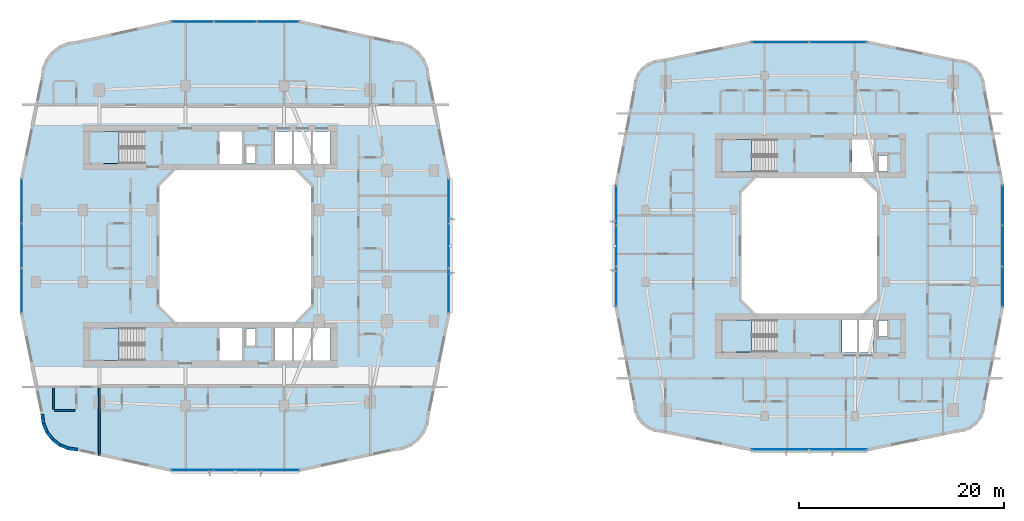
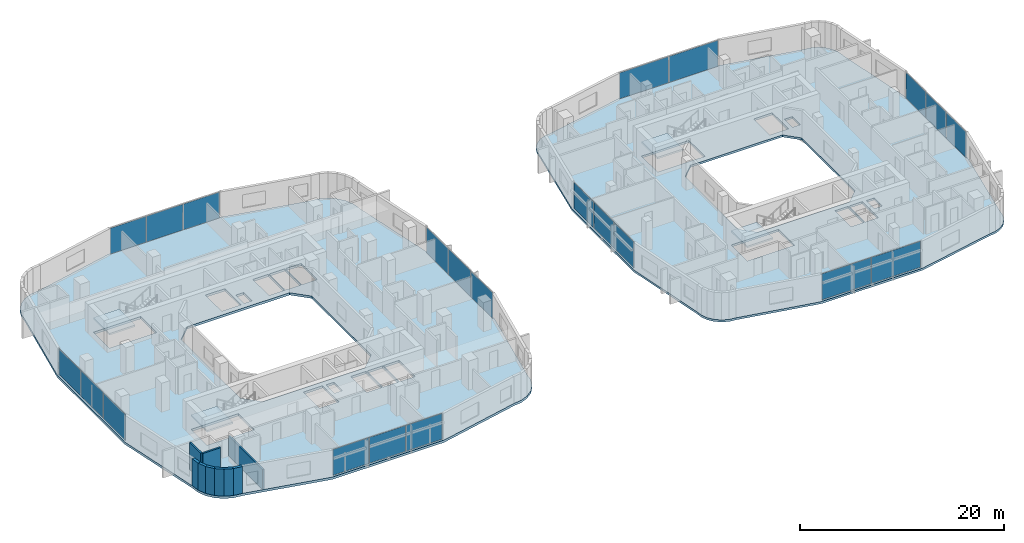
# One storey, part 12 of 27: 22 plates, 9 walls, 6 slabs, 12 elements without a shape of their own.
"""IFC4 building model written with IfcOpenShell, lengths in metres."""

from ifc_helpers import new_model, si_unit, derived_unit, direction, frame, frame_2d, origin, origin_2d, place, context, subcontext, project, spatial, polyline, rectangle, outline, extrude, material, layer, layer_set, type_object, element, aggregate, save


model = new_model("IFC4")

# Units and contexts
model_context = context("Model", 3, precision=1e-05, world=origin(), true_north=direction((0.0, 1.0)))
body_context = subcontext(model_context, "Body", "Model", "MODEL_VIEW")
ifc_project = project(units=[si_unit("LENGTHUNIT", "METRE"), si_unit("AREAUNIT", "SQUARE_METRE"), si_unit("VOLUMEUNIT", "CUBIC_METRE"), si_unit("PLANEANGLEUNIT", "RADIAN"), si_unit("MASSUNIT", "GRAM", prefix="KILO"), derived_unit("THERMALTRANSMITTANCEUNIT", [(si_unit("POWERUNIT", "WATT"), 1), (si_unit("LENGTHUNIT", "METRE"), -2), (si_unit("THERMODYNAMICTEMPERATUREUNIT", "KELVIN"), -1)])], contexts=[model_context])

# Site, building, storey
site_placement = place(None, origin())
site = spatial("IfcSite", under=ifc_project, at=site_placement, CompositionType="ELEMENT")
building_placement = place(site_placement, origin())
building = spatial("IfcBuilding", under=site, at=building_placement, Name="Kivonza Crest Hotel", CompositionType="ELEMENT")
storey_placement = place(building_placement, frame((0.0, 0.0, 31.0)))
storey = spatial("IfcBuildingStorey", under=building, at=storey_placement, Name="L07", CompositionType="ELEMENT", Elevation=31.0)

# Curtain wall, plates
ifc_material_1 = material(Name="Anodised bronze aluminium and low-E double glazing", Category="aluminium")
ifc_layer_1 = layer(ifc_material_1, 0.179931640625)
ifc_layer_set_1 = layer_set([ifc_layer_1], Name="Anodised bronze aluminium and low-E double glazing")
curtain_wall_type_1 = type_object("IfcCurtainWallType", Name="CW-SYS-2", PredefinedType="NOTDEFINED", material=ifc_layer_set_1)
curtain_wall_1_placement = place(storey_placement, origin())
curtain_wall_1 = element("IfcCurtainWall", 1, at=curtain_wall_1_placement, inside=storey, type_object=curtain_wall_type_1, Name="L07 unitised curtain wall CW-T1-L07-08", PredefinedType="NOTDEFINED")
ifc_material_2 = material(Name="Solar-control low-E double glazing", Category="glass")
ifc_layer_2 = layer(ifc_material_2, 0.028076171875)
ifc_layer_set_2 = layer_set([ifc_layer_2], Name="Solar-control low-E double glazing")
plate_type = type_object("IfcPlateType", Name="CW-PNL-28", PredefinedType="CURTAIN_PANEL", material=ifc_layer_set_2)
plate_1_placement = place(storey_placement, frame((16.890869140625, 3.159912109375, 0.06494140625), z_axis=(0.0, 0.0, 1.0), x_axis=(1.0, 0.0, 0.0)))
plate_1 = element("IfcPlate", 2, at=plate_1_placement, type_object=plate_type, Name="CW-2 panel 1.1", PredefinedType="CURTAIN_PANEL", context=body_context, shape_type="SweptSolid", body=[
    extrude(rectangle(XDim=4.06787109375, YDim=0.028076171875, at=origin_2d()), origin(), (0.0, 0.0, 1.0), 3.090087890625),
])
plate_2_placement = place(storey_placement, frame((21.0400390625, 3.159912109375, 0.06494140625), z_axis=(0.0, 0.0, 1.0), x_axis=(1.0, 0.0, 0.0)))
plate_2 = element("IfcPlate", 3, at=plate_2_placement, type_object=plate_type, Name="CW-2 panel 2.1", PredefinedType="CURTAIN_PANEL", context=body_context, shape_type="SweptSolid", body=[
    extrude(rectangle(XDim=4.100341796875, YDim=0.028076171875, at=origin_2d()), origin(), (0.0, 0.0, 1.0), 3.090087890625),
])
plate_3_placement = place(storey_placement, frame((25.18896484375, 3.159912109375, 0.06494140625), z_axis=(0.0, 0.0, 1.0), x_axis=(1.0, 0.0, 0.0)))
plate_3 = element("IfcPlate", 4, at=plate_3_placement, type_object=plate_type, Name="CW-2 panel 3.1", PredefinedType="CURTAIN_PANEL", context=body_context, shape_type="SweptSolid", body=[
    extrude(rectangle(XDim=4.06787109375, YDim=0.028076171875, at=origin_2d()), origin(), (0.0, 0.0, 1.0), 3.090087890625),
])
aggregate(curtain_wall_1, [plate_1, plate_2, plate_3])

curtain_wall_2_placement = place(storey_placement, origin())
curtain_wall_2 = element("IfcCurtainWall", 5, at=curtain_wall_2_placement, inside=storey, type_object=curtain_wall_type_1, Name="L07 unitised curtain wall CW-T1-L07-17", PredefinedType="NOTDEFINED")
plate_4_placement = place(storey_placement, frame((41.840087890625, 20.642822265625, 0.06494140625), z_axis=(0.0, 0.0, 1.0), x_axis=(0.0, 1.0, 0.0)))
plate_4 = element("IfcPlate", 6, at=plate_4_placement, type_object=plate_type, Name="CW-2 panel 1.1", PredefinedType="CURTAIN_PANEL", context=body_context, shape_type="SweptSolid", body=[
    extrude(rectangle(XDim=4.27587890625, YDim=0.028076171875, at=origin_2d()), origin(), (0.0, 0.0, 1.0), 3.090087890625),
])
plate_5_placement = place(storey_placement, frame((41.840087890625, 25.0, 0.06494140625), z_axis=(0.0, 0.0, 1.0), x_axis=(0.0, 1.0, 0.0)))
plate_5 = element("IfcPlate", 7, at=plate_5_placement, type_object=plate_type, Name="CW-2 panel 2.1", PredefinedType="CURTAIN_PANEL", context=body_context, shape_type="SweptSolid", body=[
    extrude(rectangle(XDim=4.308349609375, YDim=0.028076171875, at=origin_2d()), origin(), (0.0, 0.0, 1.0), 3.090087890625),
])
plate_6_placement = place(storey_placement, frame((41.840087890625, 29.357177734375, 0.06494140625), z_axis=(0.0, 0.0, 1.0), x_axis=(0.0, 1.0, 0.0)))
plate_6 = element("IfcPlate", 8, at=plate_6_placement, type_object=plate_type, Name="CW-2 panel 3.1", PredefinedType="CURTAIN_PANEL", context=body_context, shape_type="SweptSolid", body=[
    extrude(rectangle(XDim=4.27587890625, YDim=0.028076171875, at=origin_2d()), origin(), (0.0, 0.0, 1.0), 3.090087890625),
])
aggregate(curtain_wall_2, [plate_4, plate_5, plate_6])

curtain_wall_3_placement = place(storey_placement, origin())
curtain_wall_3 = element("IfcCurtainWall", 9, at=curtain_wall_3_placement, inside=storey, type_object=curtain_wall_type_1, Name="L07 unitised curtain wall CW-T1-L07-26", PredefinedType="NOTDEFINED")
plate_7_placement = place(storey_placement, frame((25.18896484375, 46.840087890625, 0.06494140625), z_axis=(0.0, 0.0, 1.0), x_axis=(-1.0, 0.0, 0.0)))
plate_7 = element("IfcPlate", 10, at=plate_7_placement, type_object=plate_type, Name="CW-2 panel 1.1", PredefinedType="CURTAIN_PANEL", context=body_context, shape_type="SweptSolid", body=[
    extrude(rectangle(XDim=4.06787109375, YDim=0.028076171875, at=origin_2d()), origin(), (0.0, 0.0, 1.0), 3.090087890625),
])
plate_8_placement = place(storey_placement, frame((21.0400390625, 46.840087890625, 0.06494140625), z_axis=(0.0, 0.0, 1.0), x_axis=(-1.0, 0.0, 0.0)))
plate_8 = element("IfcPlate", 11, at=plate_8_placement, type_object=plate_type, Name="CW-2 panel 2.1", PredefinedType="CURTAIN_PANEL", context=body_context, shape_type="SweptSolid", body=[
    extrude(rectangle(XDim=4.100341796875, YDim=0.028076171875, at=origin_2d()), origin(), (0.0, 0.0, 1.0), 3.090087890625),
])
plate_9_placement = place(storey_placement, frame((16.890869140625, 46.840087890625, 0.06494140625), z_axis=(0.0, 0.0, 1.0), x_axis=(-1.0, 0.0, 0.0)))
plate_9 = element("IfcPlate", 12, at=plate_9_placement, type_object=plate_type, Name="CW-2 panel 3.1", PredefinedType="CURTAIN_PANEL", context=body_context, shape_type="SweptSolid", body=[
    extrude(rectangle(XDim=4.06787109375, YDim=0.028076171875, at=origin_2d()), origin(), (0.0, 0.0, 1.0), 3.090087890625),
])
aggregate(curtain_wall_3, [plate_7, plate_8, plate_9])

curtain_wall_4_placement = place(storey_placement, origin())
curtain_wall_4 = element("IfcCurtainWall", 13, at=curtain_wall_4_placement, inside=storey, type_object=curtain_wall_type_1, Name="L07 unitised curtain wall CW-T1-L07-35", PredefinedType="NOTDEFINED")
plate_10_placement = place(storey_placement, frame((0.239990234375, 29.357177734375, 0.06494140625), z_axis=(0.0, 0.0, 1.0), x_axis=(0.0, -1.0, 0.0)))
plate_10 = element("IfcPlate", 14, at=plate_10_placement, type_object=plate_type, Name="CW-2 panel 1.1", PredefinedType="CURTAIN_PANEL", context=body_context, shape_type="SweptSolid", body=[
    extrude(rectangle(XDim=4.27587890625, YDim=0.028076171875, at=origin_2d()), origin(), (0.0, 0.0, 1.0), 3.090087890625),
])
plate_11_placement = place(storey_placement, frame((0.239990234375, 25.0, 0.06494140625), z_axis=(0.0, 0.0, 1.0), x_axis=(0.0, -1.0, 0.0)))
plate_11 = element("IfcPlate", 15, at=plate_11_placement, type_object=plate_type, Name="CW-2 panel 2.1", PredefinedType="CURTAIN_PANEL", context=body_context, shape_type="SweptSolid", body=[
    extrude(rectangle(XDim=4.308349609375, YDim=0.028076171875, at=origin_2d()), origin(), (0.0, 0.0, 1.0), 3.090087890625),
])
plate_12_placement = place(storey_placement, frame((0.239990234375, 20.642822265625, 0.06494140625), z_axis=(0.0, 0.0, 1.0), x_axis=(0.0, -1.0, 0.0)))
plate_12 = element("IfcPlate", 16, at=plate_12_placement, type_object=plate_type, Name="CW-2 panel 3.1", PredefinedType="CURTAIN_PANEL", context=body_context, shape_type="SweptSolid", body=[
    extrude(rectangle(XDim=4.27587890625, YDim=0.028076171875, at=origin_2d()), origin(), (0.0, 0.0, 1.0), 3.090087890625),
])
aggregate(curtain_wall_4, [plate_10, plate_11, plate_12])

ifc_layer_3 = layer(ifc_material_1, 0.179931640625)
ifc_layer_set_3 = layer_set([ifc_layer_3], Name="Anodised bronze aluminium and low-E double glazing")
curtain_wall_type_2 = type_object("IfcCurtainWallType", Name="CW-SYS-4", PredefinedType="NOTDEFINED", material=ifc_layer_set_3)
curtain_wall_5_placement = place(storey_placement, origin())
curtain_wall_5 = element("IfcCurtainWall", 17, at=curtain_wall_5_placement, inside=storey, type_object=curtain_wall_type_2, Name="L07 unitised curtain wall CW-T2-L07-08", PredefinedType="NOTDEFINED")
plate_13_placement = place(storey_placement, frame((74.15234375, 5.159912109375, 0.06494140625), z_axis=(0.0, 0.0, 1.0), x_axis=(1.0, 0.0, 0.0)))
plate_13 = element("IfcPlate", 18, at=plate_13_placement, type_object=plate_type, Name="CW-4 panel 1.1", PredefinedType="CURTAIN_PANEL", context=body_context, shape_type="SweptSolid", body=[
    extrude(rectangle(XDim=5.550537109375, YDim=0.028076171875, at=origin_2d()), origin(), (0.0, 0.0, 1.0), 3.1201171875),
])
plate_14_placement = place(storey_placement, frame((79.767822265625, 5.159912109375, 0.06494140625), z_axis=(0.0, 0.0, 1.0), x_axis=(1.0, 0.0, 0.0)))
plate_14 = element("IfcPlate", 19, at=plate_14_placement, type_object=plate_type, Name="CW-4 panel 2.1", PredefinedType="CURTAIN_PANEL", context=body_context, shape_type="SweptSolid", body=[
    extrude(rectangle(XDim=5.550537109375, YDim=0.028076171875, at=origin_2d()), origin(), (0.0, 0.0, 1.0), 3.1201171875),
])
aggregate(curtain_wall_5, [plate_13, plate_14])

curtain_wall_6_placement = place(storey_placement, origin())
curtain_wall_6 = element("IfcCurtainWall", 20, at=curtain_wall_6_placement, inside=storey, type_object=curtain_wall_type_2, Name="L07 unitised curtain wall CW-T2-L07-17", PredefinedType="NOTDEFINED")
plate_15_placement = place(storey_placement, frame((95.760009765625, 21.04296875, 0.06494140625), z_axis=(0.0, 0.0, 1.0), x_axis=(0.0, 1.0, 0.0)))
plate_15 = element("IfcPlate", 21, at=plate_15_placement, type_object=plate_type, Name="CW-4 panel 1.1", PredefinedType="CURTAIN_PANEL", context=body_context, shape_type="SweptSolid", body=[
    extrude(rectangle(XDim=3.875732421875, YDim=0.028076171875, at=origin_2d()), origin(), (0.0, 0.0, 1.0), 3.1201171875),
])
plate_16_placement = place(storey_placement, frame((95.760009765625, 25.0, 0.06494140625), z_axis=(0.0, 0.0, 1.0), x_axis=(0.0, 1.0, 0.0)))
plate_16 = element("IfcPlate", 22, at=plate_16_placement, type_object=plate_type, Name="CW-4 panel 2.1", PredefinedType="CURTAIN_PANEL", context=body_context, shape_type="SweptSolid", body=[
    extrude(rectangle(XDim=3.908447265625, YDim=0.028076171875, at=origin_2d()), origin(), (0.0, 0.0, 1.0), 3.1201171875),
])
plate_17_placement = place(storey_placement, frame((95.760009765625, 28.95703125, 0.06494140625), z_axis=(0.0, 0.0, 1.0), x_axis=(0.0, 1.0, 0.0)))
plate_17 = element("IfcPlate", 23, at=plate_17_placement, type_object=plate_type, Name="CW-4 panel 3.1", PredefinedType="CURTAIN_PANEL", context=body_context, shape_type="SweptSolid", body=[
    extrude(rectangle(XDim=3.875732421875, YDim=0.028076171875, at=origin_2d()), origin(), (0.0, 0.0, 1.0), 3.1201171875),
])
aggregate(curtain_wall_6, [plate_15, plate_16, plate_17])

curtain_wall_7_placement = place(storey_placement, origin())
curtain_wall_7 = element("IfcCurtainWall", 24, at=curtain_wall_7_placement, inside=storey, type_object=curtain_wall_type_2, Name="L07 unitised curtain wall CW-T2-L07-26", PredefinedType="NOTDEFINED")
plate_18_placement = place(storey_placement, frame((79.767822265625, 44.840087890625, 0.06494140625), z_axis=(0.0, 0.0, 1.0), x_axis=(-1.0, 0.0, 0.0)))
plate_18 = element("IfcPlate", 25, at=plate_18_placement, type_object=plate_type, Name="CW-4 panel 1.1", PredefinedType="CURTAIN_PANEL", context=body_context, shape_type="SweptSolid", body=[
    extrude(rectangle(XDim=5.550537109375, YDim=0.028076171875, at=origin_2d()), origin(), (0.0, 0.0, 1.0), 3.1201171875),
])
plate_19_placement = place(storey_placement, frame((74.15234375, 44.840087890625, 0.06494140625), z_axis=(0.0, 0.0, 1.0), x_axis=(-1.0, 0.0, 0.0)))
plate_19 = element("IfcPlate", 26, at=plate_19_placement, type_object=plate_type, Name="CW-4 panel 2.1", PredefinedType="CURTAIN_PANEL", context=body_context, shape_type="SweptSolid", body=[
    extrude(rectangle(XDim=5.550537109375, YDim=0.028076171875, at=origin_2d()), origin(), (0.0, 0.0, 1.0), 3.1201171875),
])
aggregate(curtain_wall_7, [plate_18, plate_19])

curtain_wall_8_placement = place(storey_placement, origin())
curtain_wall_8 = element("IfcCurtainWall", 27, at=curtain_wall_8_placement, inside=storey, type_object=curtain_wall_type_2, Name="L07 unitised curtain wall CW-T2-L07-35", PredefinedType="NOTDEFINED")
plate_20_placement = place(storey_placement, frame((58.159912109375, 28.95703125, 0.06494140625), z_axis=(0.0, 0.0, 1.0), x_axis=(0.0, -1.0, 0.0)))
plate_20 = element("IfcPlate", 28, at=plate_20_placement, type_object=plate_type, Name="CW-4 panel 1.1", PredefinedType="CURTAIN_PANEL", context=body_context, shape_type="SweptSolid", body=[
    extrude(rectangle(XDim=3.875732421875, YDim=0.028076171875, at=origin_2d()), origin(), (0.0, 0.0, 1.0), 3.1201171875),
])
plate_21_placement = place(storey_placement, frame((58.159912109375, 25.0, 0.06494140625), z_axis=(0.0, 0.0, 1.0), x_axis=(0.0, -1.0, 0.0)))
plate_21 = element("IfcPlate", 29, at=plate_21_placement, type_object=plate_type, Name="CW-4 panel 2.1", PredefinedType="CURTAIN_PANEL", context=body_context, shape_type="SweptSolid", body=[
    extrude(rectangle(XDim=3.908447265625, YDim=0.028076171875, at=origin_2d()), origin(), (0.0, 0.0, 1.0), 3.1201171875),
])
plate_22_placement = place(storey_placement, frame((58.159912109375, 21.04296875, 0.06494140625), z_axis=(0.0, 0.0, 1.0), x_axis=(0.0, -1.0, 0.0)))
plate_22 = element("IfcPlate", 30, at=plate_22_placement, type_object=plate_type, Name="CW-4 panel 3.1", PredefinedType="CURTAIN_PANEL", context=body_context, shape_type="SweptSolid", body=[
    extrude(rectangle(XDim=3.875732421875, YDim=0.028076171875, at=origin_2d()), origin(), (0.0, 0.0, 1.0), 3.1201171875),
])
aggregate(curtain_wall_8, [plate_20, plate_21, plate_22])

# Slab
ifc_material_3 = material(Name="Concrete C40/50", Category="concrete")
ifc_layer_4 = layer(ifc_material_3, 0.280029296875)
ifc_layer_set_4 = layer_set([ifc_layer_4], Name="Concrete C40/50")
slab_type_1 = type_object("IfcSlabType", Name="SL-HTL-280", PredefinedType="FLOOR", material=ifc_layer_set_4)
slab_1_placement = place(storey_placement, frame((0.0, 0.0, -0.280029296875)))
element("IfcSlab", 31, at=slab_1_placement, inside=storey, type_object=slab_type_1, Name="Tower T1 L07 floor slab", PredefinedType="FLOOR", context=body_context, shape_type="SweptSolid", body=[
    extrude(outline(polyline([(2.080078125, 8.60009765625), (2.202880859375, 7.66796875), (2.56201171875, 6.800048828125), (3.134033203125, 6.053955078125), (3.8798828125, 5.48193359375), (4.748046875, 5.123046875), (5.679931640625, 5.0), (14.751953125, 3.0), (27.327880859375, 3.0), (36.39990234375, 5.0), (37.33203125, 5.123046875), (38.199951171875, 5.48193359375), (38.946044921875, 6.053955078125), (39.51806640625, 6.800048828125), (39.876953125, 7.66796875), (40.0, 8.60009765625), (42.0, 18.39990234375), (42.0, 31.60009765625), (40.0, 41.39990234375), (39.876953125, 42.33203125), (39.51806640625, 43.199951171875), (38.946044921875, 43.946044921875), (38.199951171875, 44.51806640625), (37.33203125, 44.876953125), (36.39990234375, 45.0), (27.327880859375, 47.0), (14.751953125, 47.0), (5.679931640625, 45.0), (4.748046875, 44.876953125), (3.8798828125, 44.51806640625), (3.134033203125, 43.946044921875), (2.56201171875, 43.199951171875), (2.202880859375, 42.33203125), (2.080078125, 41.39990234375), (0.080078125, 31.60009765625), (0.080078125, 18.39990234375), (2.080078125, 8.60009765625)]), holes=[polyline([(15.239990234375, 17.60009765625), (26.840087890625, 17.60009765625), (28.43994140625, 19.199951171875), (28.43994140625, 30.800048828125), (26.840087890625, 32.39990234375), (15.239990234375, 32.39990234375), (13.639892578125, 30.800048828125), (13.639892578125, 19.199951171875), (15.239990234375, 17.60009765625)]), polyline([(6.800048828125, 33.02001953125), (12.159912109375, 33.02001953125), (12.159912109375, 36.159912109375), (6.800048828125, 36.159912109375), (6.800048828125, 33.02001953125)]), polyline([(6.800048828125, 13.860107421875), (12.159912109375, 13.860107421875), (12.159912109375, 17.0), (6.800048828125, 17.0), (6.800048828125, 13.860107421875)]), polyline([(22.080078125, 33.0400390625), (22.969970703125, 33.0400390625), (22.969970703125, 34.679931640625), (22.080078125, 34.679931640625), (22.080078125, 33.0400390625)]), polyline([(22.080078125, 15.320068359375), (22.969970703125, 15.320068359375), (22.969970703125, 16.9599609375), (22.080078125, 16.9599609375), (22.080078125, 15.320068359375)]), polyline([(19.5, 33.0), (21.699951171875, 33.0), (21.699951171875, 36.159912109375), (19.5, 36.159912109375), (19.5, 33.0)]), polyline([(24.860107421875, 33.0), (26.60693359375, 33.0), (26.60693359375, 36.159912109375), (24.860107421875, 36.159912109375), (24.860107421875, 33.0)]), polyline([(26.72705078125, 33.0), (28.472900390625, 33.0), (28.472900390625, 36.159912109375), (26.72705078125, 36.159912109375), (26.72705078125, 33.0)]), polyline([(28.593017578125, 33.0), (30.340087890625, 33.0), (30.340087890625, 36.159912109375), (28.593017578125, 36.159912109375), (28.593017578125, 33.0)]), polyline([(19.5, 13.840087890625), (21.699951171875, 13.840087890625), (21.699951171875, 17.0), (19.5, 17.0), (19.5, 13.840087890625)]), polyline([(24.860107421875, 13.840087890625), (26.60693359375, 13.840087890625), (26.60693359375, 17.0), (24.860107421875, 17.0), (24.860107421875, 13.840087890625)]), polyline([(26.72705078125, 13.840087890625), (28.472900390625, 13.840087890625), (28.472900390625, 17.0), (26.72705078125, 17.0), (26.72705078125, 13.840087890625)]), polyline([(28.593017578125, 13.840087890625), (30.340087890625, 13.840087890625), (30.340087890625, 17.0), (28.593017578125, 17.0), (28.593017578125, 13.840087890625)])]), origin(), (0.0, 0.0, 1.0), 0.280029296875),
])

# Stair, slab
stair_type = type_object("IfcStairType", Name="ST-DL-20R", PredefinedType="HALF_TURN_STAIR", material=ifc_material_3)
stair_1_placement = place(storey_placement, origin())
stair_1 = element("IfcStair", 32, at=stair_1_placement, inside=storey, type_object=stair_type, Name="L07 Protected Exit Stair ST-T1-N", PredefinedType="HALF_TURN_STAIR")
ifc_layer_5 = layer(ifc_material_3, 0.199951171875)
ifc_layer_set_5 = layer_set([ifc_layer_5], Name="Concrete C40/50")
slab_type_2 = type_object("IfcSlabType", Name="SL-LAND-200", PredefinedType="LANDING", material=ifc_layer_set_5)
slab_2_placement = place(storey_placement, frame((0.0, 0.0, 1.550048828125)))
slab_2 = element("IfcSlab", 33, at=slab_2_placement, type_object=slab_type_2, Name="ST-T1-N landing 1", PredefinedType="LANDING", context=body_context, shape_type="SweptSolid", body=[
    extrude(outline(polyline([(9.719970703125, 36.159912109375), (6.800048828125, 36.159912109375), (6.800048828125, 33.02001953125), (9.719970703125, 33.02001953125), (9.719970703125, 36.159912109375)])), origin(), (0.0, 0.0, 1.0), 0.199951171875),
])
aggregate(stair_1, [slab_2])

stair_2_placement = place(storey_placement, origin())
stair_2 = element("IfcStair", 34, at=stair_2_placement, inside=storey, type_object=stair_type, Name="L07 Protected Exit Stair ST-T1-S", PredefinedType="HALF_TURN_STAIR")
slab_3_placement = place(storey_placement, frame((0.0, 0.0, 1.550048828125)))
slab_3 = element("IfcSlab", 35, at=slab_3_placement, type_object=slab_type_2, Name="ST-T1-S landing 1", PredefinedType="LANDING", context=body_context, shape_type="SweptSolid", body=[
    extrude(outline(polyline([(9.719970703125, 17.0), (6.800048828125, 17.0), (6.800048828125, 13.860107421875), (9.719970703125, 13.860107421875), (9.719970703125, 17.0)])), origin(), (0.0, 0.0, 1.0), 0.199951171875),
])
aggregate(stair_2, [slab_3])

stair_3_placement = place(storey_placement, origin())
stair_3 = element("IfcStair", 36, at=stair_3_placement, inside=storey, type_object=stair_type, Name="L07 Protected Exit Stair ST-T2-N", PredefinedType="HALF_TURN_STAIR")
slab_4_placement = place(storey_placement, frame((0.0, 0.0, 1.550048828125)))
slab_4 = element("IfcSlab", 37, at=slab_4_placement, type_object=slab_type_2, Name="ST-T2-N landing 1", PredefinedType="LANDING", context=body_context, shape_type="SweptSolid", body=[
    extrude(outline(polyline([(71.320068359375, 35.360107421875), (68.39990234375, 35.360107421875), (68.39990234375, 32.219970703125), (71.320068359375, 32.219970703125), (71.320068359375, 35.360107421875)])), origin(), (0.0, 0.0, 1.0), 0.199951171875),
])
aggregate(stair_3, [slab_4])

stair_4_placement = place(storey_placement, origin())
stair_4 = element("IfcStair", 38, at=stair_4_placement, inside=storey, type_object=stair_type, Name="L07 Protected Exit Stair ST-T2-S", PredefinedType="HALF_TURN_STAIR")
slab_5_placement = place(storey_placement, frame((0.0, 0.0, 1.550048828125)))
slab_5 = element("IfcSlab", 39, at=slab_5_placement, type_object=slab_type_2, Name="ST-T2-S landing 1", PredefinedType="LANDING", context=body_context, shape_type="SweptSolid", body=[
    extrude(outline(polyline([(71.320068359375, 17.800048828125), (68.39990234375, 17.800048828125), (68.39990234375, 14.659912109375), (71.320068359375, 14.659912109375), (71.320068359375, 17.800048828125)])), origin(), (0.0, 0.0, 1.0), 0.199951171875),
])
aggregate(stair_4, [slab_5])

# Slab
ifc_layer_6 = layer(ifc_material_3, 0.25)
ifc_layer_set_6 = layer_set([ifc_layer_6], Name="Concrete C40/50")
slab_type_3 = type_object("IfcSlabType", Name="SL-RES-250", PredefinedType="FLOOR", material=ifc_layer_set_6)
slab_6_placement = place(storey_placement, frame((0.0, 0.0, -0.25)))
element("IfcSlab", 40, at=slab_6_placement, inside=storey, type_object=slab_type_3, Name="Companion Tower T2 L07 floor slab", PredefinedType="FLOOR", context=body_context, shape_type="SweptSolid", body=[
    extrude(outline(polyline([(59.800048828125, 9.60009765625), (59.89501953125, 8.875), (60.175048828125, 8.199951171875), (60.6201171875, 7.6201171875), (61.199951171875, 7.175048828125), (61.875, 6.89501953125), (62.60009765625, 6.800048828125), (71.27197265625, 5.0), (82.64794921875, 5.0), (91.320068359375, 6.800048828125), (92.044921875, 6.89501953125), (92.719970703125, 7.175048828125), (93.300048828125, 7.6201171875), (93.7451171875, 8.199951171875), (94.02490234375, 8.875), (94.1201171875, 9.60009765625), (95.919921875, 19.0), (95.919921875, 31.0), (94.1201171875, 40.39990234375), (94.02490234375, 41.125), (93.7451171875, 41.800048828125), (93.300048828125, 42.3798828125), (92.719970703125, 42.824951171875), (92.044921875, 43.10498046875), (91.320068359375, 43.199951171875), (82.64794921875, 45.0), (71.27197265625, 45.0), (62.60009765625, 43.199951171875), (61.875, 43.10498046875), (61.199951171875, 42.824951171875), (60.6201171875, 42.3798828125), (60.175048828125, 41.800048828125), (59.89501953125, 41.125), (59.800048828125, 40.39990234375), (58.0, 31.0), (58.0, 19.0), (59.800048828125, 9.60009765625)]), holes=[polyline([(71.760009765625, 18.39990234375), (82.159912109375, 18.39990234375), (83.56005859375, 19.800048828125), (83.56005859375, 30.199951171875), (82.159912109375, 31.60009765625), (71.760009765625, 31.60009765625), (70.360107421875, 30.199951171875), (70.360107421875, 19.800048828125), (71.760009765625, 18.39990234375)]), polyline([(68.39990234375, 32.219970703125), (73.760009765625, 32.219970703125), (73.760009765625, 35.360107421875), (68.39990234375, 35.360107421875), (68.39990234375, 32.219970703125)]), polyline([(68.39990234375, 14.659912109375), (73.760009765625, 14.659912109375), (73.760009765625, 17.800048828125), (68.39990234375, 17.800048828125), (68.39990234375, 14.659912109375)]), polyline([(83.679931640625, 32.239990234375), (84.570068359375, 32.239990234375), (84.570068359375, 33.820068359375), (83.679931640625, 33.820068359375), (83.679931640625, 32.239990234375)]), polyline([(83.679931640625, 16.179931640625), (84.570068359375, 16.179931640625), (84.570068359375, 17.760009765625), (83.679931640625, 17.760009765625), (83.679931640625, 16.179931640625)]), polyline([(81.10009765625, 32.199951171875), (83.199951171875, 32.199951171875), (83.199951171875, 35.360107421875), (81.10009765625, 35.360107421875), (81.10009765625, 32.199951171875)]), polyline([(80.159912109375, 14.639892578125), (81.639892578125, 14.639892578125), (81.639892578125, 17.800048828125), (80.159912109375, 17.800048828125), (80.159912109375, 14.639892578125)]), polyline([(81.760009765625, 14.639892578125), (83.239990234375, 14.639892578125), (83.239990234375, 17.800048828125), (81.760009765625, 17.800048828125), (81.760009765625, 14.639892578125)])]), origin(), (0.0, 0.0, 1.0), 0.25),
])

# Walls
ifc_material_4 = material(Name="High-density acoustic masonry inter-tenancy wall", Category="masonry")
ifc_layer_7 = layer(ifc_material_4, 0.179931640625)
ifc_layer_set_7 = layer_set([ifc_layer_7], Name="High-density acoustic masonry inter-tenancy wall")
wall_type_1 = type_object("IfcWallType", Name="WL-ACOU-180", PredefinedType="SOLIDWALL", material=ifc_layer_set_7)
wall_1_placement = place(storey_placement, frame((7.800048828125, 4.593994140625, 0.0), z_axis=(0.0, 0.0, 1.0), x_axis=(0.0, 1.0, 0.0)))
element("IfcWall", 41, at=wall_1_placement, inside=storey, type_object=wall_type_1, Name="L07 interior partition WA-L07-T1S-DIV1", PredefinedType="SOLIDWALL", context=body_context, shape_type="SweptSolid", body=[
    extrude(rectangle(XDim=6.656005859375, YDim=0.179931640625, at=frame_2d((3.328125, 0.0))), origin(), (0.0, 0.0, 1.0), 2.39501953125),
])
ifc_material_5 = material(Name="Precast concrete C40/50", Category="concrete")
ifc_layer_8 = layer(ifc_material_5, 0.300048828125)
ifc_layer_set_8 = layer_set([ifc_layer_8], Name="Precast concrete C40/50")
wall_type_2 = type_object("IfcWallType", Name="WL-EXT-300", PredefinedType="STANDARD", material=ifc_layer_set_8)
wall_2_placement = place(storey_placement, frame((2.22802734375, 8.6279296875, 0.0), z_axis=(0.0, 0.0, 1.0), x_axis=(0.131174864804, -0.991359246108, 0.0)))
element("IfcWall", 42, at=wall_2_placement, inside=storey, type_object=wall_type_2, Name="L07 T1 exterior insulated wall 1", PredefinedType="STANDARD", context=body_context, shape_type="SweptSolid", body=[
    extrude(rectangle(XDim=0.93798828125, YDim=0.300048828125, at=frame_2d((0.468994140625, 0.0))), origin(), (0.0, 0.0, 1.0), 3.219970703125),
])
wall_3_placement = place(storey_placement, frame((2.33203125, 7.748046875, 0.0), z_axis=(0.0, 0.0, 1.0), x_axis=(0.382344263057, -0.924019948111, 0.0)))
element("IfcWall", 43, at=wall_3_placement, inside=storey, type_object=wall_type_2, Name="L07 T1 exterior insulated wall 2", PredefinedType="STANDARD", context=body_context, shape_type="SweptSolid", body=[
    extrude(rectangle(XDim=0.95458984375, YDim=0.300048828125, at=frame_2d((0.477294921875, 0.0))), origin(), (0.0, 0.0, 1.0), 3.219970703125),
])
for number, where, z_axis, x_axis, name in (
    (44, (2.666015625, 6.910888671875, 0.0), (0.0, 0.0, 1.0), (0.608474481025, -0.793573440799, 0.0), "L07 T1 exterior insulated wall 3"),
    (45, (3.205078125, 6.18798828125, 0.0), (0.0, 0.0, 1.0), (0.793573440799, -0.608474481025, 0.0), "L07 T1 exterior insulated wall 4"),
):
    element("IfcWall", number, at=place(storey_placement, frame(where, z_axis=z_axis, x_axis=x_axis)), inside=storey, type_object=wall_type_2, Name=name, PredefinedType="STANDARD", context=body_context, shape_type="SweptSolid", body=[
        extrude(rectangle(XDim=0.954833984375, YDim=0.300048828125, at=frame_2d((0.4775390625, 0.0))), origin(), (0.0, 0.0, 1.0), 3.219970703125),
    ])
wall_4_placement = place(storey_placement, frame((3.9140625, 5.631103515625, 0.0), z_axis=(0.0, 0.0, 1.0), x_axis=(0.923982547689, -0.382434636986, 0.0)))
element("IfcWall", 46, at=wall_4_placement, inside=storey, type_object=wall_type_2, Name="L07 T1 exterior insulated wall 5", PredefinedType="STANDARD", context=body_context, shape_type="SweptSolid", body=[
    extrude(rectangle(XDim=0.954345703125, YDim=0.300048828125, at=frame_2d((0.47705078125, 0.0))), origin(), (0.0, 0.0, 1.0), 3.219970703125),
])
wall_5_placement = place(storey_placement, frame((4.742919921875, 5.27490234375, 0.0), z_axis=(0.0, 0.0, 1.0), x_axis=(0.99145856342, -0.130422072598, 0.0)))
element("IfcWall", 47, at=wall_5_placement, inside=storey, type_object=wall_type_2, Name="L07 T1 exterior insulated wall 6", PredefinedType="STANDARD", context=body_context, shape_type="SweptSolid", body=[
    extrude(rectangle(XDim=0.973388671875, YDim=0.300048828125, at=frame_2d((0.48681640625, 0.0))), origin(), (0.0, 0.0, 1.0), 3.219970703125),
])
ifc_material_6 = material(Name="Moisture-resistant plumbing chase partition wall", Category="gypsum")
ifc_layer_9 = layer(ifc_material_6, 0.199951171875)
ifc_layer_set_9 = layer_set([ifc_layer_9], Name="Moisture-resistant plumbing chase partition wall")
wall_type_3 = type_object("IfcWallType", Name="WL-PLUMB-200", PredefinedType="PLUMBINGWALL", material=ifc_layer_set_9)
wall_6_placement = place(storey_placement, frame((3.449951171875, 8.949951171875, 0.0), z_axis=(0.0, 0.0, 1.0), x_axis=(1.0, 0.0, 0.0)))
element("IfcWall", 48, at=wall_6_placement, inside=storey, type_object=wall_type_3, Name="L07 interior partition WW-L07-S04-BH", PredefinedType="PLUMBINGWALL", context=body_context, shape_type="SweptSolid", body=[
    extrude(rectangle(XDim=2.0, YDim=0.199951171875, at=frame_2d((1.0, 0.0))), origin(), (0.0, 0.0, 1.0), 3.219970703125),
])
wall_7_placement = place(storey_placement, frame((3.35009765625, 9.050048828125, 0.0), z_axis=(0.0, 0.0, 1.0), x_axis=(0.0, 1.0, 0.0)))
element("IfcWall", 49, at=wall_7_placement, inside=storey, type_object=wall_type_3, Name="L07 interior partition WW-L07-S04-BVW", PredefinedType="PLUMBINGWALL", context=body_context, shape_type="SweptSolid", body=[
    extrude(rectangle(XDim=2.099853515625, YDim=0.199951171875, at=frame_2d((1.0498046875, 0.0))), origin(), (0.0, 0.0, 1.0), 3.219970703125),
])

save(model, "model.ifc")
